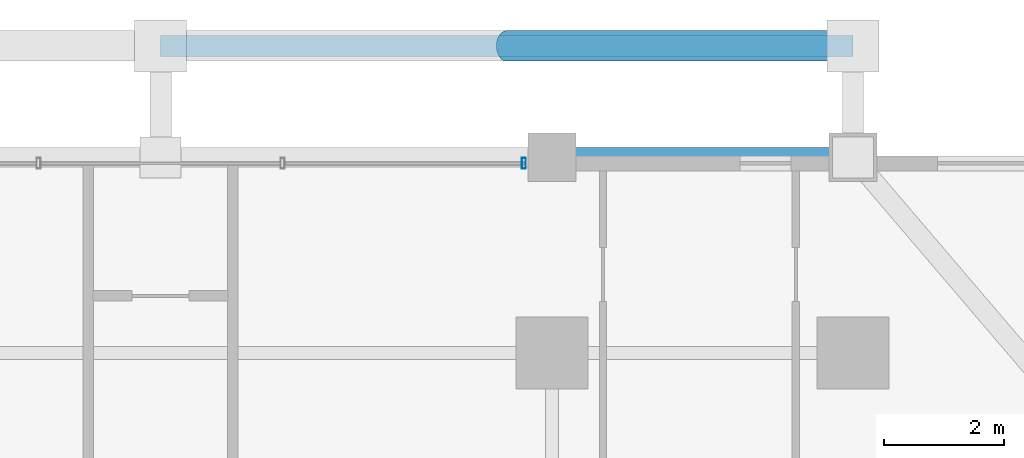
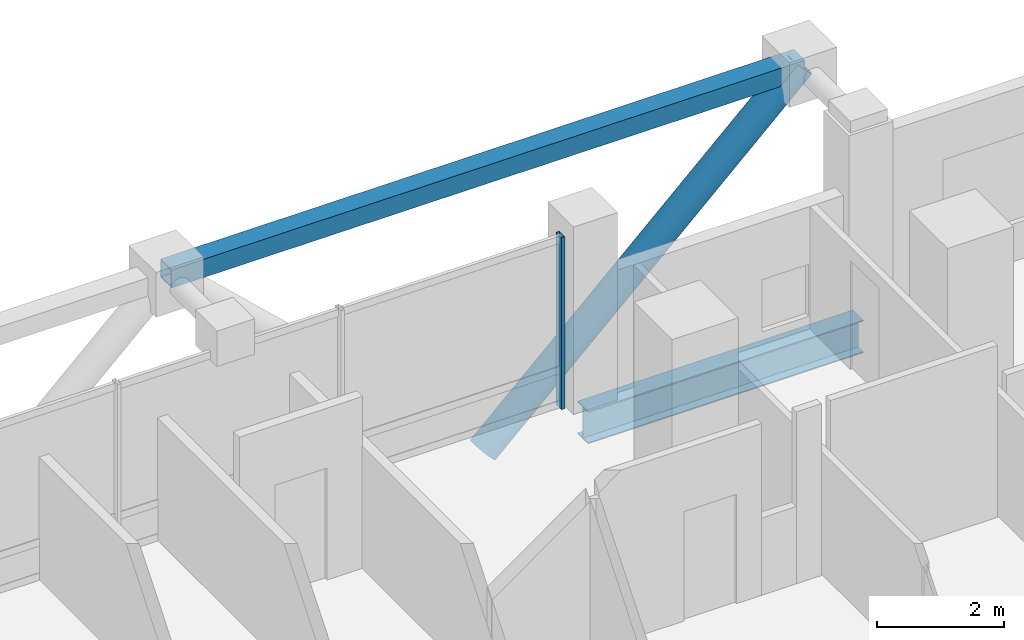
# One storey, part 16 of 25: 3 members, 1 beam, 1 element without a shape of its own.
"""IFC4 building model written with IfcOpenShell, lengths in metres."""

import ifcopenshell
import ifcopenshell.guid

model = None  # the IFC model being written
_history = None  # IfcOwnerHistory: only IFC2X3 demands one
_inside = {}  # id of a spatial element -> (the spatial element, [elements in it])
_under = {}  # id of a project, library or spatial element -> (it, [spatial elements below it])
_declared = {}  # id of a project -> (the project, [libraries it declares])
_typed = {}  # id of a type object -> (the type object, [elements of that type])
_made_of = {}  # id of a material, layer set ... -> (it, [elements and type objects made of it])


def new_model(schema):
    """Start an empty IFC model of exactly this schema.

    Asked for "IFC4X3", IfcOpenShell would pick the latest addendum, in which some entities
    have other attributes; the version numbers below select the first issue.
    IFC2X3 requires an IfcOwnerHistory on every rooted entity: one is made here for all.
    """
    global model, _history
    if schema == "IFC4X3":
        model = ifcopenshell.file(schema_version=(4, 3, 0, 0))
    else:
        model = ifcopenshell.file(schema=schema)
    _inside.clear()
    _under.clear()
    _declared.clear()
    _typed.clear()
    _made_of.clear()
    _history = None
    if model.schema == "IFC2X3":
        org = make("IfcOrganization", Name="unknown")
        user = make(
            "IfcPersonAndOrganization",
            ThePerson=make("IfcPerson", FamilyName="unknown"),
            TheOrganization=org,
        )
        app = make(
            "IfcApplication",
            ApplicationDeveloper=org,
            Version="unknown",
            ApplicationFullName="unknown",
            ApplicationIdentifier="unknown",
        )
        _history = make(
            "IfcOwnerHistory",
            OwningUser=user,
            OwningApplication=app,
            ChangeAction="ADDED",
            CreationDate=0,
        )
    return model


def make(cls, **values):
    """One entity of the class cls with the attributes given. An attribute that is None is left unset."""
    return model.create_entity(
        cls, **{name: value for name, value in values.items() if value is not None}
    )


def rooted(cls, **values):
    """An entity with a GlobalId (a new one), such as an element, a storey or a relation."""
    return make(cls, GlobalId=ifcopenshell.guid.new(), OwnerHistory=_history, **values)


def si_unit(unit_type, name, prefix=None):
    """IfcSIUnit, for example si_unit("LENGTHUNIT", "METRE", prefix="MILLI")."""
    return make("IfcSIUnit", UnitType=unit_type, Prefix=prefix, Name=name)


def assignment(units):
    """IfcUnitAssignment: the units of a project."""
    return None if units is None else make("IfcUnitAssignment", Units=units)


def point(xyz):
    """IfcCartesianPoint."""
    return None if xyz is None else make("IfcCartesianPoint", Coordinates=xyz)


def direction(xyz):
    """IfcDirection."""
    return None if xyz is None else make("IfcDirection", DirectionRatios=xyz)


def frame(location, z_axis=None, x_axis=None):
    """IfcAxis2Placement3D, a coordinate frame: its origin and axes. An axis left out is left unset."""
    return make(
        "IfcAxis2Placement3D",
        Location=point(location),
        Axis=direction(z_axis),
        RefDirection=direction(x_axis),
    )


def frame_2d(location, x_axis=None):
    """IfcAxis2Placement2D, a coordinate frame in the plane: its origin and x axis."""
    return make(
        "IfcAxis2Placement2D", Location=point(location), RefDirection=direction(x_axis)
    )


def origin():
    """The frame at (0, 0, 0) with its axes left unset."""
    return frame((0.0, 0.0, 0.0))


def origin_2d():
    """The frame at (0, 0) in the plane with its x axis left unset."""
    return frame_2d((0.0, 0.0))


def place(relative_to, where):
    """IfcLocalPlacement: puts the frame where relative to a parent placement (None: the world)."""
    return make(
        "IfcLocalPlacement", PlacementRelTo=relative_to, RelativePlacement=where
    )


def context(
    kind, dimensions, precision=None, world=None, true_north=None, identifier=None
):
    """IfcGeometricRepresentationContext, for example the 3D "Model" context."""
    return make(
        "IfcGeometricRepresentationContext",
        ContextIdentifier=identifier,
        ContextType=kind,
        CoordinateSpaceDimension=dimensions,
        Precision=precision,
        WorldCoordinateSystem=world,
        TrueNorth=true_north,
    )


def subcontext(parent, identifier, kind, view, scale=None):
    """IfcGeometricRepresentationSubContext, for example "Body" below "Model"."""
    return make(
        "IfcGeometricRepresentationSubContext",
        ContextIdentifier=identifier,
        ContextType=kind,
        ParentContext=parent,
        TargetScale=scale,
        TargetView=view,
    )


def project(units=None, contexts=None):
    """IfcProject with its units and contexts."""
    return rooted(
        "IfcProject",
        Name="project",
        RepresentationContexts=contexts,
        UnitsInContext=assignment(units),
    )


def spatial(cls, under=None, at=None, **own):
    """A site, building, storey or space (cls), placed at a placement, below another one or the project."""
    s = rooted(cls, ObjectPlacement=at, **own)
    if under is not None:
        _under.setdefault(under.id(), (under, []))[1].append(s)
    return s


def profile(cls, at=None, kind="AREA", **sizes):
    """A parametric profile (cls). Its sizes go by their IFC names, for example OverallWidth=200.0."""
    return make(cls, ProfileType=kind, Position=at, **sizes)


def hollow_rectangle(**sizes):
    """IfcRectangleHollowProfileDef."""
    return profile("IfcRectangleHollowProfileDef", **sizes)


def hollow_circle(**sizes):
    """IfcCircleHollowProfileDef."""
    return profile("IfcCircleHollowProfileDef", **sizes)


def i_section(**sizes):
    """IfcIShapeProfileDef."""
    return profile("IfcIShapeProfileDef", **sizes)


def extrude(swept, where, along, depth):
    """IfcExtrudedAreaSolid: the profile swept, set in the frame where, extruded along a direction by depth."""
    return make(
        "IfcExtrudedAreaSolid",
        SweptArea=swept,
        Position=where,
        ExtrudedDirection=direction(along),
        Depth=depth,
    )


def shape(context_of_items, identifier, shape_type, items):
    """IfcShapeRepresentation: the items that make up one representation, for example the "Body"."""
    return make(
        "IfcShapeRepresentation",
        ContextOfItems=context_of_items,
        RepresentationIdentifier=identifier,
        RepresentationType=shape_type,
        Items=items,
    )


def material(Name=None, Category=None):
    """IfcMaterial."""
    return make("IfcMaterial", Name=Name, Category=Category)


def layer(
    of_material, thickness, ventilated=None, Name=None, Category=None, Priority=None
):
    """IfcMaterialLayer: one layer of a wall or slab, of a material (None: an air gap)."""
    return make(
        "IfcMaterialLayer",
        Material=of_material,
        LayerThickness=thickness,
        IsVentilated=ventilated,
        Name=Name,
        Category=Category,
        Priority=Priority,
    )


def layer_set(layers, Name=None):
    """IfcMaterialLayerSet."""
    return make("IfcMaterialLayerSet", MaterialLayers=layers, LayerSetName=Name)


def material_profile(
    of_material, cross_section, Name=None, Category=None, Priority=None
):
    """IfcMaterialProfile: a cross section and its material."""
    return make(
        "IfcMaterialProfile",
        Name=Name,
        Material=of_material,
        Profile=cross_section,
        Priority=Priority,
        Category=Category,
    )


def profile_set(profiles, Name=None, composite=None):
    """IfcMaterialProfileSet."""
    return make(
        "IfcMaterialProfileSet",
        Name=Name,
        MaterialProfiles=profiles,
        CompositeProfile=composite,
    )


def made_of(thing, what):
    """Note that an element or type object is made of a material, layer set ...; save() writes the relation."""
    if what is not None:
        _made_of.setdefault(what.id(), (what, []))[1].append(thing)
    return thing


def type_object(cls, material=None, **own):
    """A type object (cls), such as IfcWallType, which elements share."""
    return made_of(rooted(cls, **own), material)


def element(
    cls,
    number,
    at=None,
    inside=None,
    cuts=None,
    type_object=None,
    material=None,
    context=None,
    identifier="Body",
    shape_type=None,
    held_by="IfcProductDefinitionShape",
    body=None,
    shapes=None,
    **own,
):
    """One element of the class cls, such as IfcWall. Its Tag is "e" and its number.

    at: its placement. inside: the storey or other place that contains it. cuts: it is an
    opening in that element (IfcRelVoidsElement). A single representation is given by context,
    identifier, shape_type and body (its items); several are given by shapes. held_by: the class
    of the entity that holds the representations. save() writes the other relations.
    """
    e = rooted(cls, Tag="e%d" % number, ObjectPlacement=at, **own)
    if body is not None:
        shapes = [shape(context, identifier, shape_type, body)]
    if shapes is not None:
        e.Representation = make(held_by, Representations=shapes)
    if inside is not None:
        _inside.setdefault(inside.id(), (inside, []))[1].append(e)
    if cuts is not None:
        rooted(
            "IfcRelVoidsElement", RelatingBuildingElement=cuts, RelatedOpeningElement=e
        )
    if type_object is not None:
        _typed.setdefault(type_object.id(), (type_object, []))[1].append(e)
    return made_of(e, material)


def aggregate(whole, parts):
    """IfcRelAggregates: a whole, such as a stair, and the parts it consists of."""
    return rooted("IfcRelAggregates", RelatingObject=whole, RelatedObjects=parts)


def save(model, path):
    """Write the relations noted so far, then the file.

    IfcRelAggregates (storeys below a building ...), IfcRelContainedInSpatialStructure (elements
    in a storey), IfcRelDefinesByType, IfcRelAssociatesMaterial and IfcRelDeclares: one each for
    every whole, place, type object, material and project.
    """
    for whole, parts in _under.values():
        aggregate(whole, parts)
    for where, things in _inside.values():
        rooted(
            "IfcRelContainedInSpatialStructure",
            RelatedElements=things,
            RelatingStructure=where,
        )
    for kind, things in _typed.values():
        rooted("IfcRelDefinesByType", RelatedObjects=things, RelatingType=kind)
    for what, things in _made_of.values():
        rooted("IfcRelAssociatesMaterial", RelatedObjects=things, RelatingMaterial=what)
    for by, libraries in _declared.values():
        rooted("IfcRelDeclares", RelatingContext=by, RelatedDefinitions=libraries)
    model.write(path)


model = new_model("IFC4")

# Units and contexts
model_context = context("Model", 3, precision=1e-05, world=origin(), true_north=direction((0.0, 1.0)))
body_context = subcontext(model_context, "Body", "Model", "MODEL_VIEW")
ifc_project = project(units=[si_unit("LENGTHUNIT", "METRE"), si_unit("AREAUNIT", "SQUARE_METRE"), si_unit("VOLUMEUNIT", "CUBIC_METRE"), si_unit("PLANEANGLEUNIT", "RADIAN"), si_unit("MASSUNIT", "GRAM", prefix="KILO")], contexts=[model_context])

# Site, building, storey
site_placement = place(None, origin())
site = spatial("IfcSite", under=ifc_project, at=site_placement, CompositionType="ELEMENT")
building_placement = place(site_placement, origin())
building = spatial("IfcBuilding", under=site, at=building_placement, Name="Barlavira Tower and Art Museum", CompositionType="ELEMENT")
storey_placement = place(building_placement, frame((0.0, 0.0, 162.0)))
storey = spatial("IfcBuildingStorey", under=building, at=storey_placement, Name="L41", CompositionType="ELEMENT", Elevation=162.0)

# Curtain wall, member
ifc_material_1 = material(Name="Low-iron coastal laminated glass", Category="glass")
ifc_layer = layer(ifc_material_1, 0.18994140625, Name="Low-iron coastal laminated glass")
ifc_layer_set = layer_set([ifc_layer], Name="Low-iron coastal laminated glass")
curtain_wall_type = type_object("IfcCurtainWallType", Name="Pale-Metal Unitised Curtain Wall Zone 2", PredefinedType="NOTDEFINED", material=ifc_layer_set)
curtain_wall_placement = place(storey_placement, origin())
curtain_wall = element("IfcCurtainWall", 1, at=curtain_wall_placement, inside=storey, type_object=curtain_wall_type, Name="L41 Curtain Wall CW2-L41-N-B3", PredefinedType="NOTDEFINED")
ifc_material_2 = material(Name="Pale anodised aluminium", Category="aluminium")
ifc_material_profile_1 = material_profile(ifc_material_2, hollow_rectangle(XDim=0.06494140625, YDim=0.179931640625, WallThickness=0.00390625, at=origin_2d()), Name="ALU-MULL 65x180x4")
ifc_profile_set_1 = profile_set([ifc_material_profile_1], Name="Pale anodised aluminium")
member_type_1 = type_object("IfcMemberType", Name="Curtain Wall Pale-Metal Mullion 65x180", PredefinedType="MULLION", material=ifc_profile_set_1)
member_1_placement = place(storey_placement, frame((6.034912109375, 23.14990234375, 0.0), z_axis=(0.0, 0.0, 1.0), x_axis=(-1.0, 0.0, 0.0)))
member_1 = element("IfcMember", 2, at=member_1_placement, type_object=member_type_1, Name="CW2-L41-N-B3 Mullion 0", PredefinedType="MULLION", context=body_context, shape_type="SweptSolid", body=[
    extrude(hollow_rectangle(XDim=0.06494140625, YDim=0.179931640625, WallThickness=0.00390625, at=origin_2d()), origin(), (0.0, 0.0, 1.0), 3.300048828125),
])
aggregate(curtain_wall, [member_1])

# Members
ifc_material_3 = material(Name="Steel S355", Category="steel")
ifc_material_profile_2 = material_profile(ifc_material_3, hollow_circle(Radius=0.25390625, WallThickness=0.022216796875, at=origin_2d()), Name="CHS 508.0x22.2")
ifc_profile_set_2 = profile_set([ifc_material_profile_2], Name="Steel S355")
member_type_2 = type_object("IfcMemberType", Name="Pale-Metal Exoskeleton Diagrid Tube CHS 508x22 Steel S355", PredefinedType="BRACE", material=ifc_profile_set_2)
member_2_placement = place(storey_placement, frame((5.75, 25.10009765625, -1.919921875), z_axis=(0.728950095515, 0.0, 0.684566839869), x_axis=(0.0, 1.0, 0.0)))
element("IfcMember", 3, at=member_2_placement, inside=storey, type_object=member_type_2, Name="L41 Exoskeleton Diagrid Tube N", PredefinedType="BRACE", context=body_context, shape_type="SweptSolid", body=[
    extrude(hollow_circle(Radius=0.25390625, WallThickness=0.022216796875, at=origin_2d()), origin(), (0.0, 0.0, 1.0), 7.887939453125),
])
ifc_material_profile_3 = material_profile(ifc_material_3, hollow_rectangle(XDim=0.35009765625, YDim=0.35009765625, WallThickness=0.02001953125, at=origin_2d()), Name="SHS 350x350x20.0")
ifc_profile_set_3 = profile_set([ifc_material_profile_3], Name="Steel S355")
member_type_3 = type_object("IfcMemberType", Name="Pale-Metal Exoskeleton Ring Strut SHS 350x350x20 Steel S355", PredefinedType="STRUT", material=ifc_profile_set_3)
member_3_placement = place(storey_placement, frame((0.0, 25.10009765625, 3.47998046875), z_axis=(1.0, 0.0, 0.0), x_axis=(0.0, 1.0, 0.0)))
element("IfcMember", 4, at=member_3_placement, inside=storey, type_object=member_type_3, Name="L41 Exoskeleton Top Ring Strut N", PredefinedType="STRUT", context=body_context, shape_type="SweptSolid", body=[
    extrude(hollow_rectangle(XDim=0.35009765625, YDim=0.35009765625, WallThickness=0.02001953125, at=origin_2d()), origin(), (0.0, 0.0, 1.0), 11.5),
])

# Beam
ifc_material_profile_4 = material_profile(ifc_material_3, i_section(OverallWidth=0.327880859375, OverallDepth=0.62890625, WebThickness=0.013916015625, FlangeThickness=0.021484375, at=origin_2d()), Name="W610x174.0")
ifc_profile_set_4 = profile_set([ifc_material_profile_4], Name="Steel S355")
beam_type = type_object("IfcBeamType", Name="Perimeter Spandrel Edge Beam W610x174 Steel S355", PredefinedType="SPANDREL", material=ifc_profile_set_4)
beam_placement = place(storey_placement, frame((6.5, 23.25, -0.534423828125), z_axis=(1.0, 0.0, 0.0), x_axis=(0.0, 1.0, 0.0)))
element("IfcBeam", 5, at=beam_placement, inside=storey, type_object=beam_type, Name="L41 Spandrel 9", PredefinedType="SPANDREL", context=body_context, shape_type="SweptSolid", body=[
    extrude(i_section(OverallWidth=0.327880859375, OverallDepth=0.62890625, WebThickness=0.013916015625, FlangeThickness=0.021484375, at=origin_2d()), origin(), (0.0, 0.0, 1.0), 5.0),
])

save(model, "model.ifc")
